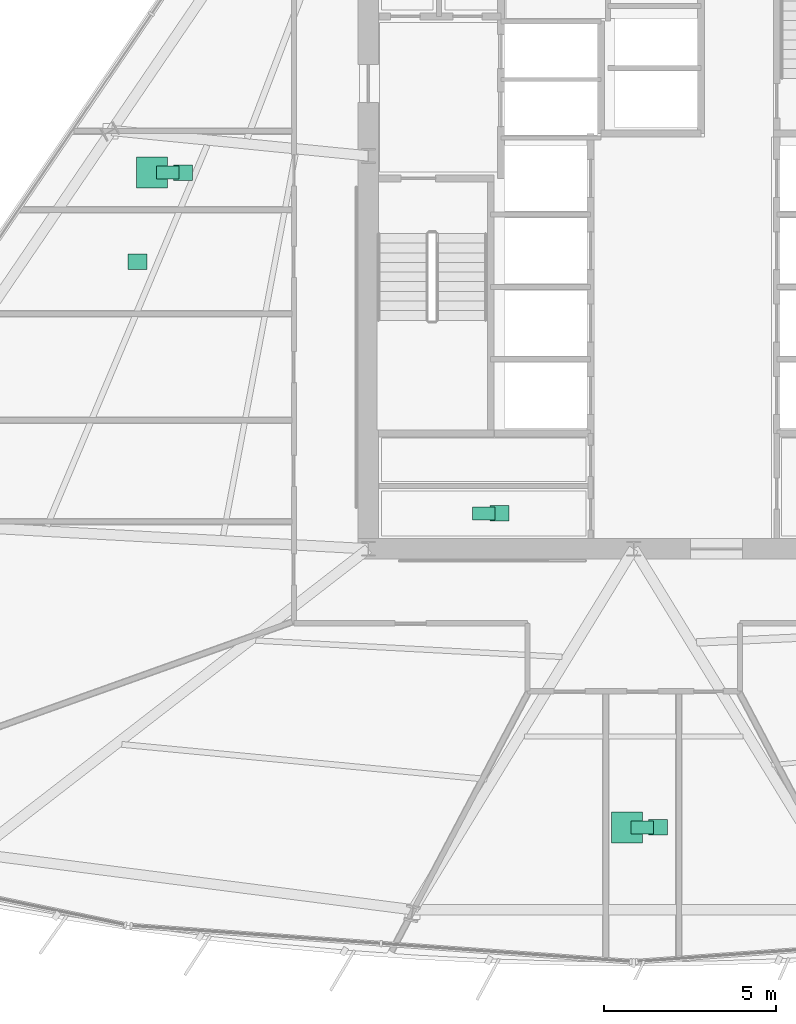
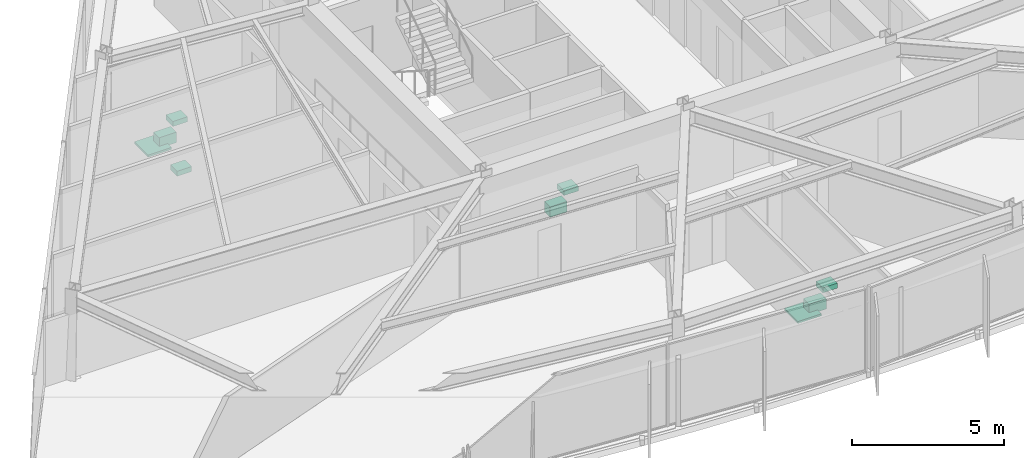
# One storey, part 15 of 15: 9 sanitary terminals.
"""IFC4 building model written with IfcOpenShell, lengths in metres."""

from ifc_helpers import new_model, si_unit, direction, frame, origin, origin_2d, place, context, subcontext, project, spatial, rectangle, extrude, material, type_object, element, save


model = new_model("IFC4")

# Units and contexts
model_context = context("Model", 3, precision=1e-05, world=origin(), true_north=direction((0.0, 1.0)))
body_context = subcontext(model_context, "Body", "Model", "MODEL_VIEW")
ifc_project = project(units=[si_unit("LENGTHUNIT", "METRE"), si_unit("AREAUNIT", "SQUARE_METRE"), si_unit("VOLUMEUNIT", "CUBIC_METRE"), si_unit("PLANEANGLEUNIT", "RADIAN"), si_unit("MASSUNIT", "GRAM", prefix="KILO")], contexts=[model_context])

# Site, building, storey
site_placement = place(None, origin())
site = spatial("IfcSite", under=ifc_project, at=site_placement, CompositionType="ELEMENT")
building_placement = place(site_placement, origin())
building = spatial("IfcBuilding", under=site, at=building_placement, Name="Savorim Split Tower", CompositionType="ELEMENT")
storey_placement = place(building_placement, frame((0.0, 0.0, 86.10009765625)))
storey = spatial("IfcBuildingStorey", under=building, at=storey_placement, Name="L22", CompositionType="ELEMENT", Elevation=86.10009765625)

# Sanitary terminals
ifc_material = material(Name="Vitreous China Sanitaryware")
sanitary_terminal_type_1 = type_object("IfcSanitaryTerminalType", Name="SAN-SHW-900", PredefinedType="SHOWER", material=ifc_material)
for number, where, z_axis, x_axis, name in (
    (1, (-0.200439453125, -17.479248046875, -0.000244140625), (0.0, 0.0, 1.0), (1.0, 0.0, 0.0), "L22 Shared Bathroom Shower"),
    (2, (-13.971435546875, 1.514892578125, -0.000244140625), (0.0, 0.0, 1.0), (1.0, 0.0, 0.0), "L22 Shared Bathroom Shower"),
):
    element("IfcSanitaryTerminal", number, at=place(storey_placement, frame(where, z_axis=z_axis, x_axis=x_axis)), inside=storey, type_object=sanitary_terminal_type_1, Name=name, PredefinedType="SHOWER", context=body_context, shape_type="SweptSolid", body=[
        extrude(rectangle(XDim=0.89990234375, YDim=0.89990234375, at=origin_2d()), origin(), (0.0, 0.0, 1.0), 0.080078125),
    ])
sanitary_terminal_type_2 = type_object("IfcSanitaryTerminalType", Name="SAN-WC-PAN", PredefinedType="TOILETPAN", material=ifc_material)
for number, where, z_axis, x_axis, name in (
    (3, (-4.35009765625, -8.3701171875, 0.0), (0.0, 0.0, 1.0), (1.0, 0.0, 0.0), "L22 Public WC WC Pan"),
    (4, (0.24951171875, -17.479248046875, 0.0), (0.0, 0.0, 1.0), (1.0, 0.0, 0.0), "L22 Shared Bathroom WC Pan"),
    (5, (-13.521484375, 1.514892578125, 0.0), (0.0, 0.0, 1.0), (1.0, 0.0, 0.0), "L22 Shared Bathroom WC Pan"),
):
    element("IfcSanitaryTerminal", number, at=place(storey_placement, frame(where, z_axis=z_axis, x_axis=x_axis)), inside=storey, type_object=sanitary_terminal_type_2, Name=name, PredefinedType="TOILETPAN", context=body_context, shape_type="SweptSolid", body=[
        extrude(rectangle(XDim=0.64990234375, YDim=0.3798828125, at=origin_2d()), origin(), (0.0, 0.0, 1.0), 0.419921875),
    ])
sanitary_terminal_type_3 = type_object("IfcSanitaryTerminalType", Name="SAN-WHB-550", PredefinedType="WASHHANDBASIN", material=ifc_material)
for number, where, z_axis, x_axis, name in (
    (6, (-3.89990234375, -8.3701171875, 0.7197265625), (0.0, 0.0, 1.0), (1.0, 0.0, 0.0), "L22 Public WC Washhand Basin"),
    (7, (-14.40087890625, -1.0712890625, 0.75), (0.0, 0.0, 1.0), (1.0, 0.0, 0.0), "L22 Shared Kitchen Utility Sink"),
    (8, (0.699462890625, -17.479248046875, 0.7197265625), (0.0, 0.0, 1.0), (1.0, 0.0, 0.0), "L22 Shared Bathroom Washhand Basin"),
    (9, (-13.071533203125, 1.514892578125, 0.7197265625), (0.0, 0.0, 1.0), (1.0, 0.0, 0.0), "L22 Shared Bathroom Washhand Basin"),
):
    element("IfcSanitaryTerminal", number, at=place(storey_placement, frame(where, z_axis=z_axis, x_axis=x_axis)), inside=storey, type_object=sanitary_terminal_type_3, Name=name, PredefinedType="WASHHANDBASIN", context=body_context, shape_type="SweptSolid", body=[
        extrude(rectangle(XDim=0.550048828125, YDim=0.449951171875, at=origin_2d()), origin(), (0.0, 0.0, 1.0), 0.199951171875),
    ])

save(model, "model.ifc")
